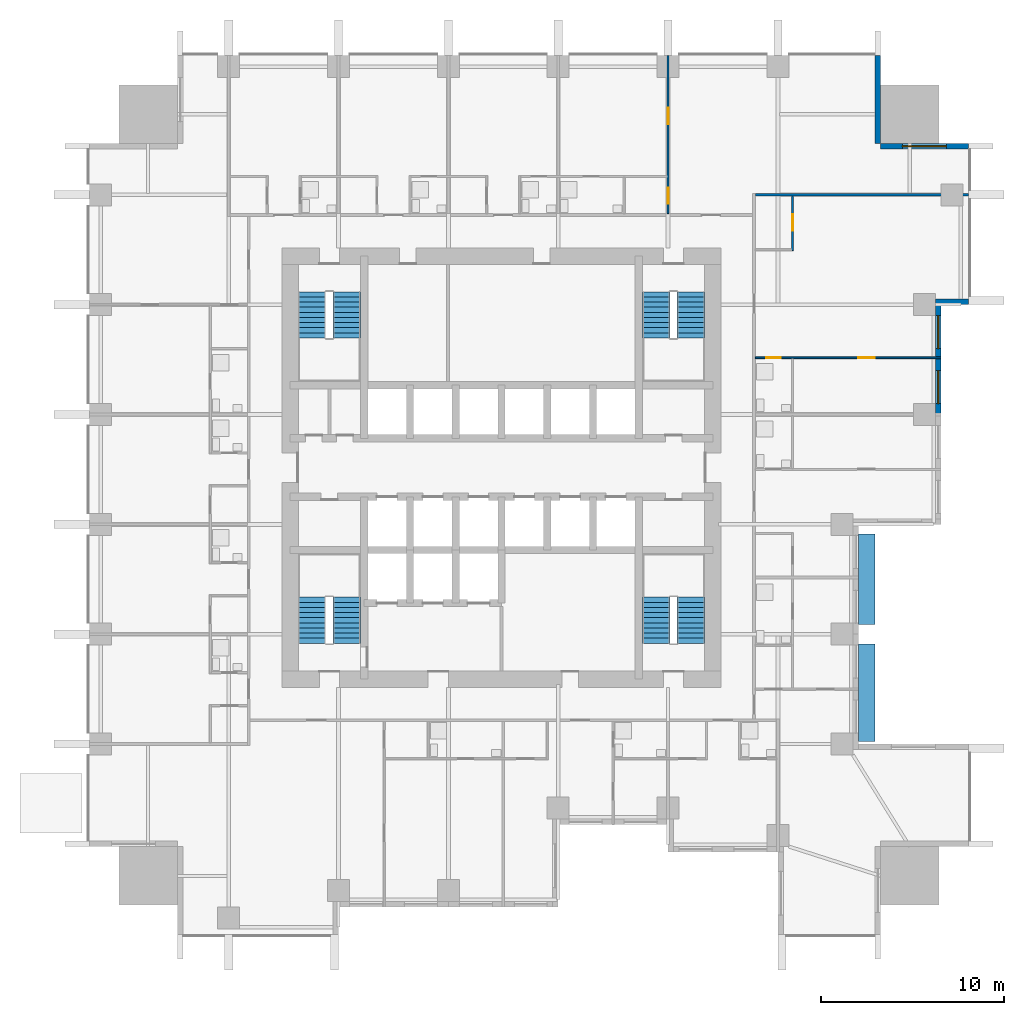
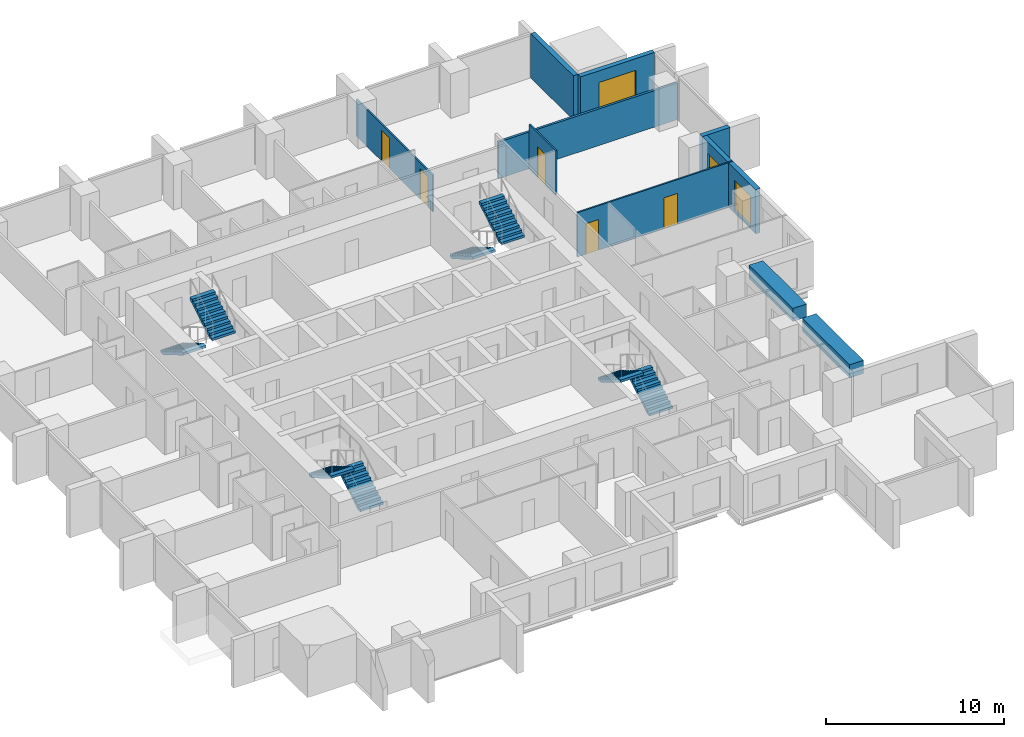
# One storey, part 8 of 10: 8 stair flights, 8 walls, 5 doors, 3 windows, 2 discrete accessories, 8 openings, 4 elements without a shape of their own.
"""IFC4 building model written with IfcOpenShell, lengths in metres."""

from ifc_helpers import new_model, si_unit, direction, frame, frame_2d, origin, origin_2d, place, context, subcontext, project, spatial, polyline, rectangle, outline, extrude, material, layer, layer_set, type_object, element, fill, aggregate, save


model = new_model("IFC4")

# Units and contexts
model_context = context("Model", 3, precision=1e-05, world=origin(), true_north=direction((0.0, 1.0)))
body_context = subcontext(model_context, "Body", "Model", "MODEL_VIEW")
ifc_project = project(units=[si_unit("LENGTHUNIT", "METRE"), si_unit("AREAUNIT", "SQUARE_METRE"), si_unit("VOLUMEUNIT", "CUBIC_METRE"), si_unit("PLANEANGLEUNIT", "RADIAN"), si_unit("MASSUNIT", "GRAM", prefix="KILO")], contexts=[model_context])

# Site, building, storey
site_placement = place(None, origin())
site = spatial("IfcSite", under=ifc_project, at=site_placement, CompositionType="ELEMENT")
building_placement = place(site_placement, origin())
building = spatial("IfcBuilding", under=site, at=building_placement, Name="Amberfall Residences", CompositionType="ELEMENT")
storey_placement = place(building_placement, frame((0.0, 0.0, 26.800048828125)))
storey = spatial("IfcBuildingStorey", under=building, at=storey_placement, Name="L06", CompositionType="ELEMENT", Elevation=26.800048828125)

# Wall
ifc_material_1 = material(Name="Pale stone cladding on insulated backing", Category="masonry")
ifc_layer_1 = layer(ifc_material_1, 0.300048828125)
ifc_layer_set_1 = layer_set([ifc_layer_1], Name="Bronze clad wall 300")
wall_type_1 = type_object("IfcWallType", Name="Bronze clad wall 300", PredefinedType="SOLIDWALL", material=ifc_layer_set_1)
wall_1_placement = place(storey_placement, frame((98.199951171875, 54.550048828125, 0.0), z_axis=(0.0, 0.0, 1.0), x_axis=(1.0, 0.0, 0.0)))
element("IfcWall", 1, at=wall_1_placement, inside=storey, type_object=wall_type_1, Name="External wall L06 E", PredefinedType="SOLIDWALL", context=body_context, shape_type="SweptSolid", body=[
    extrude(rectangle(XDim=1.800048828125, YDim=0.300048828125, at=frame_2d((0.89990234375, 0.0))), origin(), (0.0, 0.0, 1.0), 3.050048828125),
])

# Wall, opening, window
wall_2_placement = place(storey_placement, frame((100.0, 63.050048828125, 0.0), z_axis=(0.0, 0.0, 1.0), x_axis=(-1.0, 0.0, 0.0)))
wall_2 = element("IfcWall", 2, at=wall_2_placement, inside=storey, type_object=wall_type_1, Name="External wall L06 NE", PredefinedType="SOLIDWALL", context=body_context, shape_type="SweptSolid", body=[
    extrude(rectangle(XDim=4.800048828125, YDim=0.300048828125, at=frame_2d((2.39990234375, 0.0))), origin(), (0.0, 0.0, 1.0), 3.050048828125),
])
opening_1_placement = place(wall_2_placement, frame((1.199951171875, 0.0, 0.14990234375)))
opening_1 = element("IfcOpeningElement", 3, at=opening_1_placement, cuts=wall_2, Name="Opening WN5", PredefinedType="OPENING", context=body_context, shape_type="SweptSolid", body=[
    extrude(rectangle(XDim=2.39990234375, YDim=2.10009765625, at=frame_2d((1.199951171875, 1.050048828125))), frame((0.0, 0.159912109375, 0.0), z_axis=(0.0, -1.0, 0.0), x_axis=(1.0, 0.0, 0.0)), (0.0, 0.0, 1.0), 0.320068359375),
])
ifc_material_2 = material(Name="Bronze aluminium framed glazing", Category="aluminium")
window_type_1 = type_object("IfcWindowType", Name="Glazed opening 2400 x 2100 bronze", PartitioningType="DOUBLE_PANEL_VERTICAL", PredefinedType="WINDOW", material=ifc_material_2)
window_1_placement = place(opening_1_placement, origin())
window_1 = element("IfcWindow", 4, at=window_1_placement, inside=storey, type_object=window_type_1, Name="Window L06 NE", OverallHeight=2.10009765625, OverallWidth=2.39990234375, PartitioningType="DOUBLE_PANEL_VERTICAL", PredefinedType="WINDOW", context=body_context, shape_type="SweptSolid", body=[
    extrude(rectangle(XDim=2.39990234375, YDim=2.10009765625, at=frame_2d((1.199951171875, 1.050048828125))), frame((0.0, 0.030029296875, 0.0), z_axis=(0.0, -1.0, 0.0), x_axis=(1.0, 0.0, 0.0)), (0.0, 0.0, 1.0), 0.06005859375),
])
fill(opening_1, window_1)

# Wall
wall_3_placement = place(storey_placement, frame((95.050048828125, 63.199951171875, 0.0), z_axis=(0.0, 0.0, 1.0), x_axis=(0.0, 1.0, 0.0)))
element("IfcWall", 5, at=wall_3_placement, inside=storey, type_object=wall_type_1, Name="External wall L06 NE", PredefinedType="SOLIDWALL", context=body_context, shape_type="SweptSolid", body=[
    extrude(rectangle(XDim=4.800048828125, YDim=0.300048828125, at=frame_2d((2.39990234375, 0.0))), origin(), (0.0, 0.0, 1.0), 3.050048828125),
])

# Wall, openings, windows
wall_4_placement = place(storey_placement, frame((98.35009765625, 48.39990234375, 0.0), z_axis=(0.0, 0.0, 1.0), x_axis=(0.0, 1.0, 0.0)))
wall_4 = element("IfcWall", 6, at=wall_4_placement, inside=storey, type_object=wall_type_1, Name="Stone wall L06 E", PredefinedType="SOLIDWALL", context=body_context, shape_type="SweptSolid", body=[
    extrude(rectangle(XDim=6.0, YDim=0.300048828125, at=frame_2d((3.0, 0.0))), origin(), (0.0, 0.0, 1.0), 3.050048828125),
])
opening_2_placement = place(wall_4_placement, frame((0.60009765625, 0.0, 0.14990234375)))
opening_2 = element("IfcOpeningElement", 7, at=opening_2_placement, cuts=wall_4, Name="Opening WN6", PredefinedType="OPENING", context=body_context, shape_type="SweptSolid", body=[
    extrude(rectangle(XDim=1.800048828125, YDim=2.10009765625, at=frame_2d((0.89990234375, 1.050048828125))), frame((0.0, 0.159912109375, 0.0), z_axis=(0.0, -1.0, 0.0), x_axis=(1.0, 0.0, 0.0)), (0.0, 0.0, 1.0), 0.320068359375),
])
opening_3_placement = place(wall_4_placement, frame((3.60009765625, 0.0, 0.14990234375)))
opening_3 = element("IfcOpeningElement", 8, at=opening_3_placement, cuts=wall_4, Name="Opening WN6", PredefinedType="OPENING", context=body_context, shape_type="SweptSolid", body=[
    extrude(rectangle(XDim=1.800048828125, YDim=2.10009765625, at=frame_2d((0.89990234375, 1.050048828125))), frame((0.0, 0.159912109375, 0.0), z_axis=(0.0, -1.0, 0.0), x_axis=(1.0, 0.0, 0.0)), (0.0, 0.0, 1.0), 0.320068359375),
])
window_type_2 = type_object("IfcWindowType", Name="Glazed opening 1800 x 2100 bronze", PartitioningType="DOUBLE_PANEL_VERTICAL", PredefinedType="WINDOW", material=ifc_material_2)
window_2_placement = place(opening_2_placement, origin())
window_2 = element("IfcWindow", 9, at=window_2_placement, inside=storey, type_object=window_type_2, Name="Window L06 E", OverallHeight=2.10009765625, OverallWidth=1.800048828125, PartitioningType="DOUBLE_PANEL_VERTICAL", PredefinedType="WINDOW", context=body_context, shape_type="SweptSolid", body=[
    extrude(rectangle(XDim=1.800048828125, YDim=2.10009765625, at=frame_2d((0.89990234375, 1.050048828125))), frame((0.0, 0.030029296875, 0.0), z_axis=(0.0, -1.0, 0.0), x_axis=(1.0, 0.0, 0.0)), (0.0, 0.0, 1.0), 0.06005859375),
])
fill(opening_2, window_2)
window_3_placement = place(opening_3_placement, origin())
window_3 = element("IfcWindow", 10, at=window_3_placement, inside=storey, type_object=window_type_2, Name="Window L06 E", OverallHeight=2.10009765625, OverallWidth=1.800048828125, PartitioningType="DOUBLE_PANEL_VERTICAL", PredefinedType="WINDOW", context=body_context, shape_type="SweptSolid", body=[
    extrude(rectangle(XDim=1.800048828125, YDim=2.10009765625, at=frame_2d((0.89990234375, 1.050048828125))), frame((0.0, 0.030029296875, 0.0), z_axis=(0.0, -1.0, 0.0), x_axis=(1.0, 0.0, 0.0)), (0.0, 0.0, 1.0), 0.06005859375),
])
fill(opening_3, window_3)

# Wall, openings, doors
ifc_material_3 = material(Name="Gypsum board on metal stud")
ifc_layer_2 = layer(ifc_material_3, 0.10009765625)
ifc_layer_set_2 = layer_set([ifc_layer_2], Name="Flat partition 100")
wall_type_2 = type_object("IfcWallType", Name="Flat partition 100", PredefinedType="PARTITIONING", material=ifc_layer_set_2)
wall_5_placement = place(storey_placement, frame((83.60009765625, 59.375, 0.0), z_axis=(0.0, 0.0, 1.0), x_axis=(0.0, 1.0, 0.0)))
wall_5 = element("IfcWall", 11, at=wall_5_placement, inside=storey, type_object=wall_type_2, Name="Partition 016", PredefinedType="PARTITIONING", context=body_context, shape_type="SweptSolid", body=[
    extrude(rectangle(XDim=8.625, YDim=0.10009765625, at=frame_2d((4.3125, 0.0))), origin(), (0.0, 0.0, 1.0), 2.515869140625),
])
opening_4_placement = place(wall_5_placement, frame((0.52490234375, 0.0, 0.0)))
opening_4 = element("IfcOpeningElement", 12, at=opening_4_placement, cuts=wall_5, Name="Opening D41", PredefinedType="OPENING", context=body_context, shape_type="SweptSolid", body=[
    extrude(rectangle(XDim=0.89990234375, YDim=2.10009765625, at=frame_2d((0.449951171875, 1.050048828125))), frame((0.0, 0.06005859375, 0.0), z_axis=(0.0, -1.0, 0.0), x_axis=(1.0, 0.0, 0.0)), (0.0, 0.0, 1.0), 0.1201171875),
])
opening_5_placement = place(wall_5_placement, frame((4.875, 0.0, 0.0)))
opening_5 = element("IfcOpeningElement", 13, at=opening_5_placement, cuts=wall_5, Name="Opening D41", PredefinedType="OPENING", context=body_context, shape_type="SweptSolid", body=[
    extrude(rectangle(XDim=0.89990234375, YDim=2.10009765625, at=frame_2d((0.449951171875, 1.050048828125))), frame((0.0, 0.06005859375, 0.0), z_axis=(0.0, -1.0, 0.0), x_axis=(1.0, 0.0, 0.0)), (0.0, 0.0, 1.0), 0.1201171875),
])
ifc_material_4 = material(Name="Timber", Category="wood")
door_type_1 = type_object("IfcDoorType", Name="Internal door 900 x 2100", OperationType="SINGLE_SWING_LEFT", PredefinedType="DOOR", material=ifc_material_4)
door_1_placement = place(opening_4_placement, origin())
door_1 = element("IfcDoor", 14, at=door_1_placement, inside=storey, type_object=door_type_1, Name="Door 0610 kitchen", OperationType="SINGLE_SWING_LEFT", OverallHeight=2.10009765625, OverallWidth=0.89990234375, PredefinedType="DOOR", context=body_context, shape_type="SweptSolid", body=[
    extrude(rectangle(XDim=0.89990234375, YDim=2.10009765625, at=frame_2d((0.449951171875, 1.050048828125))), frame((0.0, 0.02490234375, 0.0), z_axis=(0.0, -1.0, 0.0), x_axis=(1.0, 0.0, 0.0)), (0.0, 0.0, 1.0), 0.050048828125),
])
fill(opening_4, door_1)
door_2_placement = place(opening_5_placement, origin())
door_2 = element("IfcDoor", 15, at=door_2_placement, inside=storey, type_object=door_type_1, Name="Door 0610 bedroom1", OperationType="SINGLE_SWING_LEFT", OverallHeight=2.10009765625, OverallWidth=0.89990234375, PredefinedType="DOOR", context=body_context, shape_type="SweptSolid", body=[
    extrude(rectangle(XDim=0.89990234375, YDim=2.10009765625, at=frame_2d((0.449951171875, 1.050048828125))), frame((0.0, 0.02490234375, 0.0), z_axis=(0.0, -1.0, 0.0), x_axis=(1.0, 0.0, 0.0)), (0.0, 0.0, 1.0), 0.050048828125),
])
fill(opening_5, door_2)

# Wall, opening, door
wall_6_placement = place(storey_placement, frame((90.39990234375, 57.35009765625, 0.0), z_axis=(0.0, 0.0, 1.0), x_axis=(0.0, 1.0, 0.0)))
wall_6 = element("IfcWall", 16, at=wall_6_placement, inside=storey, type_object=wall_type_2, Name="Partition 022", PredefinedType="PARTITIONING", context=body_context, shape_type="SweptSolid", body=[
    extrude(rectangle(XDim=2.974853515625, YDim=0.10009765625, at=frame_2d((1.4873046875, 0.0))), origin(), (0.0, 0.0, 1.0), 3.050048828125),
])
opening_6_placement = place(wall_6_placement, frame((1.10009765625, 0.0, 0.0)))
opening_6 = element("IfcOpeningElement", 17, at=opening_6_placement, cuts=wall_6, Name="Opening D41", PredefinedType="OPENING", context=body_context, shape_type="SweptSolid", body=[
    extrude(rectangle(XDim=0.89990234375, YDim=2.10009765625, at=frame_2d((0.449951171875, 1.050048828125))), frame((0.0, 0.06005859375, 0.0), z_axis=(0.0, -1.0, 0.0), x_axis=(1.0, 0.0, 0.0)), (0.0, 0.0, 1.0), 0.1201171875),
])
door_3_placement = place(opening_6_placement, origin())
door_3 = element("IfcDoor", 18, at=door_3_placement, inside=storey, type_object=door_type_1, Name="Door 0606 kitchen", OperationType="SINGLE_SWING_LEFT", OverallHeight=2.10009765625, OverallWidth=0.89990234375, PredefinedType="DOOR", context=body_context, shape_type="SweptSolid", body=[
    extrude(rectangle(XDim=0.89990234375, YDim=2.10009765625, at=frame_2d((0.449951171875, 1.050048828125))), frame((0.0, 0.02490234375, 0.0), z_axis=(0.0, -1.0, 0.0), x_axis=(1.0, 0.0, 0.0)), (0.0, 0.0, 1.0), 0.050048828125),
])
fill(opening_6, door_3)

# Wall, openings, doors
wall_7_placement = place(storey_placement, frame((98.5, 51.5, 0.0), z_axis=(0.0, 0.0, 1.0), x_axis=(-1.0, 0.0, 0.0)))
wall_7 = element("IfcWall", 19, at=wall_7_placement, inside=storey, type_object=wall_type_2, Name="Partition 030", PredefinedType="PARTITIONING", context=body_context, shape_type="SweptSolid", body=[
    extrude(rectangle(XDim=10.125, YDim=0.10009765625, at=frame_2d((5.0625, 0.0))), origin(), (0.0, 0.0, 1.0), 3.050048828125),
])
opening_7_placement = place(wall_7_placement, frame((3.60009765625, 0.0, 0.0)))
opening_7 = element("IfcOpeningElement", 20, at=opening_7_placement, cuts=wall_7, Name="Opening D41", PredefinedType="OPENING", context=body_context, shape_type="SweptSolid", body=[
    extrude(rectangle(XDim=0.89990234375, YDim=2.10009765625, at=frame_2d((0.449951171875, 1.050048828125))), frame((0.0, 0.06005859375, 0.0), z_axis=(0.0, -1.0, 0.0), x_axis=(1.0, 0.0, 0.0)), (0.0, 0.0, 1.0), 0.1201171875),
])
opening_8_placement = place(wall_7_placement, frame((8.75, 0.0, 0.0)))
opening_8 = element("IfcOpeningElement", 21, at=opening_8_placement, cuts=wall_7, Name="Opening D42", PredefinedType="OPENING", context=body_context, shape_type="SweptSolid", body=[
    extrude(rectangle(XDim=0.800048828125, YDim=2.10009765625, at=frame_2d((0.39990234375, 1.050048828125))), frame((0.0, 0.06005859375, 0.0), z_axis=(0.0, -1.0, 0.0), x_axis=(1.0, 0.0, 0.0)), (0.0, 0.0, 1.0), 0.1201171875),
])
door_type_2 = type_object("IfcDoorType", Name="Bathroom door 800 x 2100", OperationType="SINGLE_SWING_LEFT", PredefinedType="DOOR", material=ifc_material_4)
door_4_placement = place(opening_8_placement, origin())
door_4 = element("IfcDoor", 22, at=door_4_placement, inside=storey, type_object=door_type_2, Name="Door 0606 bath1", OperationType="SINGLE_SWING_LEFT", OverallHeight=2.10009765625, OverallWidth=0.800048828125, PredefinedType="DOOR", context=body_context, shape_type="SweptSolid", body=[
    extrude(rectangle(XDim=0.800048828125, YDim=2.10009765625, at=frame_2d((0.39990234375, 1.050048828125))), frame((0.0, 0.02490234375, 0.0), z_axis=(0.0, -1.0, 0.0), x_axis=(1.0, 0.0, 0.0)), (0.0, 0.0, 1.0), 0.050048828125),
])
fill(opening_8, door_4)
door_5_placement = place(opening_7_placement, origin())
door_5 = element("IfcDoor", 23, at=door_5_placement, inside=storey, type_object=door_type_1, Name="Door 0606 bedroom1", OperationType="SINGLE_SWING_LEFT", OverallHeight=2.10009765625, OverallWidth=0.89990234375, PredefinedType="DOOR", context=body_context, shape_type="SweptSolid", body=[
    extrude(rectangle(XDim=0.89990234375, YDim=2.10009765625, at=frame_2d((0.449951171875, 1.050048828125))), frame((0.0, 0.02490234375, 0.0), z_axis=(0.0, -1.0, 0.0), x_axis=(1.0, 0.0, 0.0)), (0.0, 0.0, 1.0), 0.050048828125),
])
fill(opening_7, door_5)

# Wall
ifc_material_5 = material(Name="Blockwork, plastered", Category="masonry")
ifc_layer_3 = layer(ifc_material_5, 0.14990234375)
ifc_layer_set_3 = layer_set([ifc_layer_3], Name="Flat separating wall 150")
wall_type_3 = type_object("IfcWallType", Name="Flat separating wall 150", PredefinedType="PARTITIONING", material=ifc_layer_set_3)
wall_8_placement = place(storey_placement, frame((88.375, 60.39990234375, 0.0), z_axis=(0.0, 0.0, 1.0), x_axis=(1.0, 0.0, 0.0)))
element("IfcWall", 24, at=wall_8_placement, inside=storey, type_object=wall_type_3, Name="Separating wall 053", PredefinedType="PARTITIONING", context=body_context, shape_type="SweptSolid", body=[
    extrude(rectangle(XDim=11.625, YDim=0.14990234375, at=frame_2d((5.8125, 0.0))), origin(), (0.0, 0.0, 1.0), 2.515869140625),
])

# Stair, stair flights
ifc_material_6 = material(Name="Concrete C40", Category="concrete")
stair_type = type_object("IfcStairType", Name="Exit stair 20 risers 165.0 mm", PredefinedType="HALF_TURN_STAIR", material=ifc_material_6)
stair_1_placement = place(storey_placement, origin())
stair_1 = element("IfcStair", 25, at=stair_1_placement, inside=storey, type_object=stair_type, Name="L06 Exit stair 1", PredefinedType="HALF_TURN_STAIR")
stair_flight_type = type_object("IfcStairFlightType", Name="Stair flight 10 risers 165.0 mm", PredefinedType="STRAIGHT", material=ifc_material_6)
stair_flight_1_placement = place(storey_placement, frame((66.050048828125, 35.89990234375, 0.0), z_axis=(0.0, 0.0, 1.0), x_axis=(0.0, 1.0, 0.0)))
stair_flight_1 = element("IfcStairFlight", 26, at=stair_flight_1_placement, type_object=stair_flight_type, Name="ST3 flight 1", NumberOfRisers=10, NumberOfTreads=9, PredefinedType="STRAIGHT", RiserHeight=0.165, TreadLength=0.28, context=body_context, shape_type="SweptSolid", body=[
    extrude(outline(polyline([(0.0, 0.0), (0.0, 0.1650390625), (0.280029296875, 0.1650390625), (0.280029296875, 0.330078125), (0.56005859375, 0.330078125), (0.56005859375, 0.4951171875), (0.840087890625, 0.4951171875), (0.840087890625, 0.659912109375), (1.1201171875, 0.659912109375), (1.1201171875, 0.824951171875), (1.39990234375, 0.824951171875), (1.39990234375, 0.989990234375), (1.679931640625, 0.989990234375), (1.679931640625, 1.155029296875), (1.9599609375, 1.155029296875), (1.9599609375, 1.320068359375), (2.239990234375, 1.320068359375), (2.239990234375, 1.485107421875), (2.52001953125, 1.485107421875), (2.52001953125, 1.64990234375), (2.52001953125, 1.31103515625), (0.295166015625, 0.0), (0.0, 0.0)])), frame((0.0, 0.75, 0.0), z_axis=(0.0, -1.0, 0.0), x_axis=(1.0, 0.0, 0.0)), (0.0, 0.0, 1.0), 1.5),
])
stair_flight_2_placement = place(storey_placement, frame((64.14990234375, 38.419921875, 1.64990234375), z_axis=(0.0, 0.0, 1.0), x_axis=(0.0, -1.0, 0.0)))
stair_flight_2 = element("IfcStairFlight", 27, at=stair_flight_2_placement, type_object=stair_flight_type, Name="ST3 flight 2", NumberOfRisers=10, NumberOfTreads=9, PredefinedType="STRAIGHT", RiserHeight=0.165, TreadLength=0.28, context=body_context, shape_type="SweptSolid", body=[
    extrude(outline(polyline([(0.0, 0.0), (0.0, 0.1650390625), (0.280029296875, 0.1650390625), (0.280029296875, 0.330078125), (0.56005859375, 0.330078125), (0.56005859375, 0.4951171875), (0.840087890625, 0.4951171875), (0.840087890625, 0.659912109375), (1.1201171875, 0.659912109375), (1.1201171875, 0.824951171875), (1.39990234375, 0.824951171875), (1.39990234375, 0.989990234375), (1.679931640625, 0.989990234375), (1.679931640625, 1.155029296875), (1.9599609375, 1.155029296875), (1.9599609375, 1.320068359375), (2.239990234375, 1.320068359375), (2.239990234375, 1.485107421875), (2.52001953125, 1.485107421875), (2.52001953125, 1.64990234375), (2.52001953125, 1.31103515625), (0.295166015625, 0.0), (0.0, 0.0)])), frame((0.0, 0.75, 0.0), z_axis=(0.0, -1.0, 0.0), x_axis=(1.0, 0.0, 0.0)), (0.0, 0.0, 1.0), 1.5),
])
aggregate(stair_1, [stair_flight_1, stair_flight_2])

stair_2_placement = place(storey_placement, origin())
stair_2 = element("IfcStair", 28, at=stair_2_placement, inside=storey, type_object=stair_type, Name="L06 Exit stair 2", PredefinedType="HALF_TURN_STAIR")
stair_flight_3_placement = place(storey_placement, frame((84.85009765625, 35.89990234375, 0.0), z_axis=(0.0, 0.0, 1.0), x_axis=(0.0, 1.0, 0.0)))
stair_flight_3 = element("IfcStairFlight", 29, at=stair_flight_3_placement, type_object=stair_flight_type, Name="ST3 flight 1", NumberOfRisers=10, NumberOfTreads=9, PredefinedType="STRAIGHT", RiserHeight=0.165, TreadLength=0.28, context=body_context, shape_type="SweptSolid", body=[
    extrude(outline(polyline([(0.0, 0.0), (0.0, 0.1650390625), (0.280029296875, 0.1650390625), (0.280029296875, 0.330078125), (0.56005859375, 0.330078125), (0.56005859375, 0.4951171875), (0.840087890625, 0.4951171875), (0.840087890625, 0.659912109375), (1.1201171875, 0.659912109375), (1.1201171875, 0.824951171875), (1.39990234375, 0.824951171875), (1.39990234375, 0.989990234375), (1.679931640625, 0.989990234375), (1.679931640625, 1.155029296875), (1.9599609375, 1.155029296875), (1.9599609375, 1.320068359375), (2.239990234375, 1.320068359375), (2.239990234375, 1.485107421875), (2.52001953125, 1.485107421875), (2.52001953125, 1.64990234375), (2.52001953125, 1.31103515625), (0.295166015625, 0.0), (0.0, 0.0)])), frame((0.0, 0.75, 0.0), z_axis=(0.0, -1.0, 0.0), x_axis=(1.0, 0.0, 0.0)), (0.0, 0.0, 1.0), 1.5),
])
stair_flight_4_placement = place(storey_placement, frame((82.949951171875, 38.419921875, 1.64990234375), z_axis=(0.0, 0.0, 1.0), x_axis=(0.0, -1.0, 0.0)))
stair_flight_4 = element("IfcStairFlight", 30, at=stair_flight_4_placement, type_object=stair_flight_type, Name="ST3 flight 2", NumberOfRisers=10, NumberOfTreads=9, PredefinedType="STRAIGHT", RiserHeight=0.165, TreadLength=0.28, context=body_context, shape_type="SweptSolid", body=[
    extrude(outline(polyline([(0.0, 0.0), (0.0, 0.1650390625), (0.280029296875, 0.1650390625), (0.280029296875, 0.330078125), (0.56005859375, 0.330078125), (0.56005859375, 0.4951171875), (0.840087890625, 0.4951171875), (0.840087890625, 0.659912109375), (1.1201171875, 0.659912109375), (1.1201171875, 0.824951171875), (1.39990234375, 0.824951171875), (1.39990234375, 0.989990234375), (1.679931640625, 0.989990234375), (1.679931640625, 1.155029296875), (1.9599609375, 1.155029296875), (1.9599609375, 1.320068359375), (2.239990234375, 1.320068359375), (2.239990234375, 1.485107421875), (2.52001953125, 1.485107421875), (2.52001953125, 1.64990234375), (2.52001953125, 1.31103515625), (0.295166015625, 0.0), (0.0, 0.0)])), frame((0.0, 0.75, 0.0), z_axis=(0.0, -1.0, 0.0), x_axis=(1.0, 0.0, 0.0)), (0.0, 0.0, 1.0), 1.5),
])
aggregate(stair_2, [stair_flight_3, stair_flight_4])

stair_3_placement = place(storey_placement, origin())
stair_3 = element("IfcStair", 31, at=stair_3_placement, inside=storey, type_object=stair_type, Name="L06 Exit stair 3", PredefinedType="HALF_TURN_STAIR")
stair_flight_5_placement = place(storey_placement, frame((82.949951171875, 55.10009765625, 0.0), z_axis=(0.0, 0.0, 1.0), x_axis=(0.0, -1.0, 0.0)))
stair_flight_5 = element("IfcStairFlight", 32, at=stair_flight_5_placement, type_object=stair_flight_type, Name="ST3 flight 1", NumberOfRisers=10, NumberOfTreads=9, PredefinedType="STRAIGHT", RiserHeight=0.165, TreadLength=0.28, context=body_context, shape_type="SweptSolid", body=[
    extrude(outline(polyline([(0.0, 0.0), (0.0, 0.1650390625), (0.280029296875, 0.1650390625), (0.280029296875, 0.330078125), (0.56005859375, 0.330078125), (0.56005859375, 0.4951171875), (0.840087890625, 0.4951171875), (0.840087890625, 0.659912109375), (1.1201171875, 0.659912109375), (1.1201171875, 0.824951171875), (1.39990234375, 0.824951171875), (1.39990234375, 0.989990234375), (1.679931640625, 0.989990234375), (1.679931640625, 1.155029296875), (1.9599609375, 1.155029296875), (1.9599609375, 1.320068359375), (2.239990234375, 1.320068359375), (2.239990234375, 1.485107421875), (2.52001953125, 1.485107421875), (2.52001953125, 1.64990234375), (2.52001953125, 1.31103515625), (0.295166015625, 0.0), (0.0, 0.0)])), frame((0.0, 0.75, 0.0), z_axis=(0.0, -1.0, 0.0), x_axis=(1.0, 0.0, 0.0)), (0.0, 0.0, 1.0), 1.5),
])
stair_flight_6_placement = place(storey_placement, frame((84.85009765625, 52.580078125, 1.64990234375), z_axis=(0.0, 0.0, 1.0), x_axis=(0.0, 1.0, 0.0)))
stair_flight_6 = element("IfcStairFlight", 33, at=stair_flight_6_placement, type_object=stair_flight_type, Name="ST3 flight 2", NumberOfRisers=10, NumberOfTreads=9, PredefinedType="STRAIGHT", RiserHeight=0.165, TreadLength=0.28, context=body_context, shape_type="SweptSolid", body=[
    extrude(outline(polyline([(0.0, 0.0), (0.0, 0.1650390625), (0.280029296875, 0.1650390625), (0.280029296875, 0.330078125), (0.56005859375, 0.330078125), (0.56005859375, 0.4951171875), (0.840087890625, 0.4951171875), (0.840087890625, 0.659912109375), (1.1201171875, 0.659912109375), (1.1201171875, 0.824951171875), (1.39990234375, 0.824951171875), (1.39990234375, 0.989990234375), (1.679931640625, 0.989990234375), (1.679931640625, 1.155029296875), (1.9599609375, 1.155029296875), (1.9599609375, 1.320068359375), (2.239990234375, 1.320068359375), (2.239990234375, 1.485107421875), (2.52001953125, 1.485107421875), (2.52001953125, 1.64990234375), (2.52001953125, 1.31103515625), (0.295166015625, 0.0), (0.0, 0.0)])), frame((0.0, 0.75, 0.0), z_axis=(0.0, -1.0, 0.0), x_axis=(1.0, 0.0, 0.0)), (0.0, 0.0, 1.0), 1.5),
])
aggregate(stair_3, [stair_flight_5, stair_flight_6])

stair_4_placement = place(storey_placement, origin())
stair_4 = element("IfcStair", 34, at=stair_4_placement, inside=storey, type_object=stair_type, Name="L06 Exit stair 4", PredefinedType="HALF_TURN_STAIR")
stair_flight_7_placement = place(storey_placement, frame((64.14990234375, 55.10009765625, 0.0), z_axis=(0.0, 0.0, 1.0), x_axis=(0.0, -1.0, 0.0)))
stair_flight_7 = element("IfcStairFlight", 35, at=stair_flight_7_placement, type_object=stair_flight_type, Name="ST3 flight 1", NumberOfRisers=10, NumberOfTreads=9, PredefinedType="STRAIGHT", RiserHeight=0.165, TreadLength=0.28, context=body_context, shape_type="SweptSolid", body=[
    extrude(outline(polyline([(0.0, 0.0), (0.0, 0.1650390625), (0.280029296875, 0.1650390625), (0.280029296875, 0.330078125), (0.56005859375, 0.330078125), (0.56005859375, 0.4951171875), (0.840087890625, 0.4951171875), (0.840087890625, 0.659912109375), (1.1201171875, 0.659912109375), (1.1201171875, 0.824951171875), (1.39990234375, 0.824951171875), (1.39990234375, 0.989990234375), (1.679931640625, 0.989990234375), (1.679931640625, 1.155029296875), (1.9599609375, 1.155029296875), (1.9599609375, 1.320068359375), (2.239990234375, 1.320068359375), (2.239990234375, 1.485107421875), (2.52001953125, 1.485107421875), (2.52001953125, 1.64990234375), (2.52001953125, 1.31103515625), (0.295166015625, 0.0), (0.0, 0.0)])), frame((0.0, 0.75, 0.0), z_axis=(0.0, -1.0, 0.0), x_axis=(1.0, 0.0, 0.0)), (0.0, 0.0, 1.0), 1.5),
])
stair_flight_8_placement = place(storey_placement, frame((66.050048828125, 52.580078125, 1.64990234375), z_axis=(0.0, 0.0, 1.0), x_axis=(0.0, 1.0, 0.0)))
stair_flight_8 = element("IfcStairFlight", 36, at=stair_flight_8_placement, type_object=stair_flight_type, Name="ST3 flight 2", NumberOfRisers=10, NumberOfTreads=9, PredefinedType="STRAIGHT", RiserHeight=0.165, TreadLength=0.28, context=body_context, shape_type="SweptSolid", body=[
    extrude(outline(polyline([(0.0, 0.0), (0.0, 0.1650390625), (0.280029296875, 0.1650390625), (0.280029296875, 0.330078125), (0.56005859375, 0.330078125), (0.56005859375, 0.4951171875), (0.840087890625, 0.4951171875), (0.840087890625, 0.659912109375), (1.1201171875, 0.659912109375), (1.1201171875, 0.824951171875), (1.39990234375, 0.824951171875), (1.39990234375, 0.989990234375), (1.679931640625, 0.989990234375), (1.679931640625, 1.155029296875), (1.9599609375, 1.155029296875), (1.9599609375, 1.320068359375), (2.239990234375, 1.320068359375), (2.239990234375, 1.485107421875), (2.52001953125, 1.485107421875), (2.52001953125, 1.64990234375), (2.52001953125, 1.31103515625), (0.295166015625, 0.0), (0.0, 0.0)])), frame((0.0, 0.75, 0.0), z_axis=(0.0, -1.0, 0.0), x_axis=(1.0, 0.0, 0.0)), (0.0, 0.0, 1.0), 1.5),
])
aggregate(stair_4, [stair_flight_7, stair_flight_8])

# Discrete accessories
discrete_accessory_1_placement = place(storey_placement, frame((94.449951171875, 33.205078125, 2.39990234375), z_axis=(0.0, 0.0, 1.0), x_axis=(0.0, 1.0, 0.0)))
element("IfcDiscreteAccessory", 37, at=discrete_accessory_1_placement, inside=storey, Name="Planter box L07 E3", ObjectType="PLANTER BOX", PredefinedType="USERDEFINED", context=body_context, shape_type="SweptSolid", body=[
    extrude(rectangle(XDim=5.31005859375, YDim=0.89990234375, at=origin_2d()), origin(), (0.0, 0.0, 1.0), 0.89990234375),
])
discrete_accessory_2_placement = place(storey_placement, frame((94.449951171875, 39.39990234375, 2.39990234375), z_axis=(0.0, 0.0, 1.0), x_axis=(0.0, 1.0, 0.0)))
element("IfcDiscreteAccessory", 38, at=discrete_accessory_2_placement, inside=storey, Name="Planter box L07 E4", ObjectType="PLANTER BOX", PredefinedType="USERDEFINED", context=body_context, shape_type="SweptSolid", body=[
    extrude(rectangle(XDim=4.919921875, YDim=0.89990234375, at=origin_2d()), origin(), (0.0, 0.0, 1.0), 0.89990234375),
])

save(model, "model.ifc")
